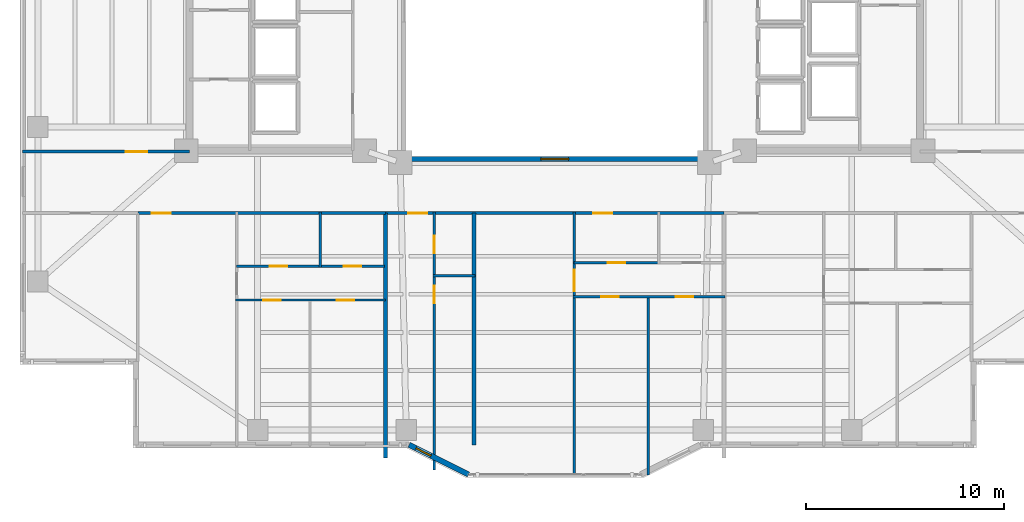
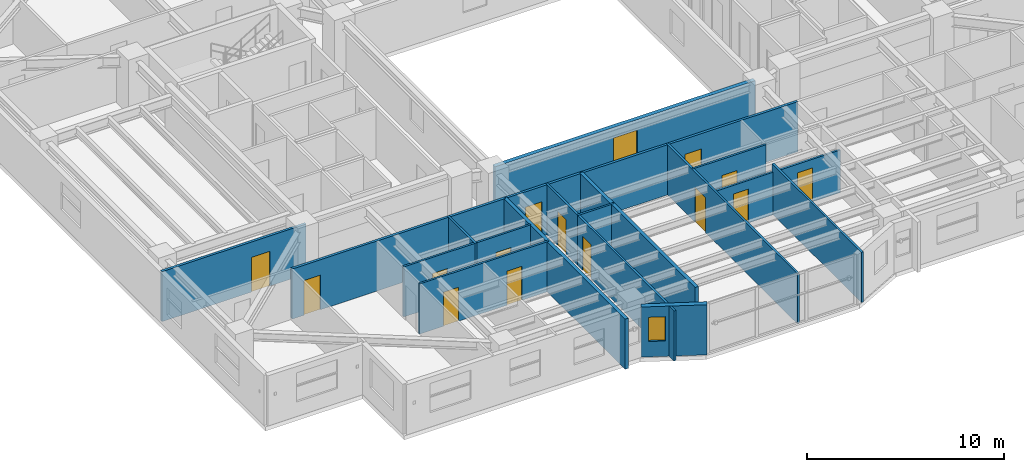
# One storey, part 6 of 18: 18 walls, 14 doors, 2 windows, 16 openings.
"""IFC4 building model written with IfcOpenShell, lengths in metres."""

from ifc_helpers import new_model, si_unit, direction, frame, frame_2d, origin, place, context, subcontext, project, spatial, rectangle, extrude, material, layer, layer_set, type_object, element, fill, save


model = new_model("IFC4")

# Units and contexts
model_context = context("Model", 3, precision=1e-05, world=origin(), true_north=direction((0.0, 1.0)))
body_context = subcontext(model_context, "Body", "Model", "MODEL_VIEW")
ifc_project = project(units=[si_unit("LENGTHUNIT", "METRE"), si_unit("AREAUNIT", "SQUARE_METRE"), si_unit("VOLUMEUNIT", "CUBIC_METRE"), si_unit("PLANEANGLEUNIT", "RADIAN"), si_unit("MASSUNIT", "GRAM", prefix="KILO")], contexts=[model_context])

# Site, building, storey
site_placement = place(None, origin())
site = spatial("IfcSite", under=ifc_project, at=site_placement, CompositionType="ELEMENT")
building_placement = place(site_placement, origin())
building = spatial("IfcBuilding", under=site, at=building_placement, Name="Tarnavaz Court Tower", CompositionType="ELEMENT")
storey_placement = place(building_placement, frame((0.0, 0.0, 88.35009765625)))
storey = spatial("IfcBuildingStorey", under=building, at=storey_placement, Name="L23", CompositionType="ELEMENT", Elevation=88.35009765625)

# Wall, opening, window
ifc_material_1 = material(Name="Precast Concrete C40/50", Category="concrete")
ifc_layer_1 = layer(ifc_material_1, 0.280029296875)
ifc_layer_set_1 = layer_set([ifc_layer_1], Name="Precast Concrete C40/50")
wall_type_1 = type_object("IfcWallType", Name="WL-EXT-280", PredefinedType="SOLIDWALL", material=ifc_layer_set_1)
wall_1_placement = place(storey_placement, frame((-4.35009765625, -23.550048828125, 0.0), z_axis=(0.0, 0.0, 1.0), x_axis=(-0.894427191, 0.4472135955, 0.0)))
wall_1 = element("IfcWall", 1, at=wall_1_placement, inside=storey, type_object=wall_type_1, Name="L23 Exterior Terracotta Facade Wall 18", PredefinedType="SOLIDWALL", context=body_context, shape_type="SweptSolid", body=[
    extrude(rectangle(XDim=3.35400390625, YDim=0.280029296875, at=frame_2d((1.677001953125, 0.0))), origin(), (0.0, 0.0, 1.0), 3.099853515625),
])
opening_1_placement = place(wall_1_placement, frame((2.12353515625, 0.0, 0.949951171875)))
opening_1 = element("IfcOpeningElement", 2, at=opening_1_placement, cuts=wall_1, Name="Opening W15", PredefinedType="OPENING", context=body_context, shape_type="SweptSolid", body=[
    extrude(rectangle(XDim=0.85009765625, YDim=1.5, at=frame_2d((0.425048828125, 0.75))), frame((0.0, 0.14990234375, 0.0), z_axis=(0.0, -1.0, 0.0), x_axis=(1.0, 0.0, 0.0)), (0.0, 0.0, 1.0), 0.300048828125),
])
ifc_material_2 = material(Name="Double-Glazed Solar Low-E Glass", Category="glass")
window_type_1 = type_object("IfcWindowType", Name="WN-APT-850", PartitioningType="SINGLE_PANEL", PredefinedType="WINDOW", material=ifc_material_2)
window_1_placement = place(opening_1_placement, origin())
window_1 = element("IfcWindow", 3, at=window_1_placement, inside=storey, type_object=window_type_1, Name="L23 Prow Cheek Bedroom Window 18", OverallHeight=1.5, OverallWidth=0.85009765625, PartitioningType="SINGLE_PANEL", PredefinedType="WINDOW", context=body_context, shape_type="SweptSolid", body=[
    extrude(rectangle(XDim=0.85009765625, YDim=1.5, at=frame_2d((0.425048828125, 0.75))), frame((0.0, 0.030029296875, 0.0), z_axis=(0.0, -1.0, 0.0), x_axis=(1.0, 0.0, 0.0)), (0.0, 0.0, 1.0), 0.06005859375),
])
fill(opening_1, window_1)

# Wall, opening, door
ifc_material_3 = material(Name="Gypsum Fire-Board on Acoustic Metal Stud", Category="masonry")
ifc_layer_2 = layer(ifc_material_3, 0.14990234375)
ifc_layer_set_2 = layer_set([ifc_layer_2], Name="Gypsum Fire-Board on Acoustic Metal Stud")
wall_type_2 = type_object("IfcWallType", Name="WL-FIRE-150", PredefinedType="PARTITIONING", material=ifc_layer_set_2)
wall_2_placement = place(storey_placement, frame((-21.050048828125, -10.35009765625, 0.0), z_axis=(0.0, 0.0, 1.0), x_axis=(1.0, 0.0, 0.0)))
wall_2 = element("IfcWall", 4, at=wall_2_placement, inside=storey, type_object=wall_type_2, Name="L23 SW Horseshoe Wall 074", PredefinedType="PARTITIONING", context=body_context, shape_type="SweptSolid", body=[
    extrude(rectangle(XDim=12.5, YDim=0.14990234375, at=frame_2d((6.25, 0.0))), origin(), (0.0, 0.0, 1.0), 3.099853515625),
])
opening_2_placement = place(wall_2_placement, frame((0.699951171875, 0.0, 0.0)))
opening_2 = element("IfcOpeningElement", 5, at=opening_2_placement, cuts=wall_2, Name="Opening D06", PredefinedType="OPENING", context=body_context, shape_type="SweptSolid", body=[
    extrude(rectangle(XDim=0.9599609375, YDim=2.14990234375, at=frame_2d((0.47998046875, 1.074951171875))), frame((0.0, 0.0849609375, 0.0), z_axis=(0.0, -1.0, 0.0), x_axis=(1.0, 0.0, 0.0)), (0.0, 0.0, 1.0), 0.169921875),
])
ifc_material_4 = material(Name="Fire-Rated Hardwood Timber Core", Category="wood")
door_type_1 = type_object("IfcDoorType", Name="DR-FD60-950", OperationType="NOTDEFINED", PredefinedType="DOOR", material=ifc_material_4)
door_1_placement = place(opening_2_placement, origin())
door_1 = element("IfcDoor", 6, at=door_1_placement, inside=storey, type_object=door_type_1, Name="L23 Flat 02 Entrance Door", OperationType="SINGLE_SWING_LEFT", OverallHeight=2.14990234375, OverallWidth=0.9599609375, PredefinedType="DOOR", context=body_context, shape_type="SweptSolid", body=[
    extrude(rectangle(XDim=0.9599609375, YDim=2.14990234375, at=frame_2d((0.47998046875, 1.074951171875))), frame((0.0, 0.02490234375, 0.0), z_axis=(0.0, -1.0, 0.0), x_axis=(1.0, 0.0, 0.0)), (0.0, 0.0, 1.0), 0.050048828125),
])
fill(opening_2, door_1)

# Wall, openings, doors
wall_3_placement = place(storey_placement, frame((-8.550048828125, -10.35009765625, 0.0), z_axis=(0.0, 0.0, 1.0), x_axis=(1.0, 0.0, 0.0)))
wall_3 = element("IfcWall", 7, at=wall_3_placement, inside=storey, type_object=wall_type_2, Name="L23 Interior Partition 101", PredefinedType="PARTITIONING", context=body_context, shape_type="SweptSolid", body=[
    extrude(rectangle(XDim=17.10009765625, YDim=0.14990234375, at=frame_2d((8.550048828125, 0.0))), origin(), (0.0, 0.0, 1.0), 3.099853515625),
])
opening_3_placement = place(wall_3_placement, frame((1.14990234375, 0.0, 0.0)))
opening_3 = element("IfcOpeningElement", 8, at=opening_3_placement, cuts=wall_3, Name="Opening D06", PredefinedType="OPENING", context=body_context, shape_type="SweptSolid", body=[
    extrude(rectangle(XDim=0.9599609375, YDim=2.14990234375, at=frame_2d((0.47998046875, 1.074951171875))), frame((0.0, 0.0849609375, 0.0), z_axis=(0.0, -1.0, 0.0), x_axis=(1.0, 0.0, 0.0)), (0.0, 0.0, 1.0), 0.169921875),
])
opening_4_placement = place(wall_3_placement, frame((10.5, 0.0, 0.0)))
opening_4 = element("IfcOpeningElement", 9, at=opening_4_placement, cuts=wall_3, Name="Opening D06", PredefinedType="OPENING", context=body_context, shape_type="SweptSolid", body=[
    extrude(rectangle(XDim=0.9599609375, YDim=2.14990234375, at=frame_2d((0.47998046875, 1.074951171875))), frame((0.0, 0.0849609375, 0.0), z_axis=(0.0, -1.0, 0.0), x_axis=(1.0, 0.0, 0.0)), (0.0, 0.0, 1.0), 0.169921875),
])
door_2_placement = place(opening_3_placement, origin())
door_2 = element("IfcDoor", 10, at=door_2_placement, inside=storey, type_object=door_type_1, Name="L23 Flat 04 Entrance Door", OperationType="SINGLE_SWING_LEFT", OverallHeight=2.14990234375, OverallWidth=0.9599609375, PredefinedType="DOOR", context=body_context, shape_type="SweptSolid", body=[
    extrude(rectangle(XDim=0.9599609375, YDim=2.14990234375, at=frame_2d((0.47998046875, 1.074951171875))), frame((0.0, 0.02490234375, 0.0), z_axis=(0.0, -1.0, 0.0), x_axis=(1.0, 0.0, 0.0)), (0.0, 0.0, 1.0), 0.050048828125),
])
fill(opening_3, door_2)
door_3_placement = place(opening_4_placement, origin())
door_3 = element("IfcDoor", 11, at=door_3_placement, inside=storey, type_object=door_type_1, Name="L23 Flat 05 Entrance Door", OperationType="SINGLE_SWING_RIGHT", OverallHeight=2.14990234375, OverallWidth=0.9599609375, PredefinedType="DOOR", context=body_context, shape_type="SweptSolid", body=[
    extrude(rectangle(XDim=0.9599609375, YDim=2.14990234375, at=frame_2d((0.47998046875, 1.074951171875))), frame((0.0, 0.02490234375, 0.0), z_axis=(0.0, -1.0, 0.0), x_axis=(1.0, 0.0, 0.0)), (0.0, 0.0, 1.0), 0.050048828125),
])
fill(opening_4, door_3)

# Wall, opening, door
wall_4_placement = place(storey_placement, frame((-26.8798828125, -7.25, 0.0), z_axis=(0.0, 0.0, 1.0), x_axis=(1.0, 0.0, 0.0)))
wall_4 = element("IfcWall", 12, at=wall_4_placement, inside=storey, type_object=wall_type_2, Name="L23 Interior Partition 112", PredefinedType="PARTITIONING", context=body_context, shape_type="SweptSolid", body=[
    extrude(rectangle(XDim=8.429931640625, YDim=0.14990234375, at=frame_2d((4.21484375, 0.0))), origin(), (0.0, 0.0, 1.0), 3.099853515625),
])
opening_5_placement = place(wall_4_placement, frame((5.22998046875, 0.0, 0.0)))
opening_5 = element("IfcOpeningElement", 13, at=opening_5_placement, cuts=wall_4, Name="Opening D12", PredefinedType="OPENING", context=body_context, shape_type="SweptSolid", body=[
    extrude(rectangle(XDim=1.080078125, YDim=2.14990234375, at=frame_2d((0.5400390625, 1.074951171875))), frame((0.0, 0.0849609375, 0.0), z_axis=(0.0, -1.0, 0.0), x_axis=(1.0, 0.0, 0.0)), (0.0, 0.0, 1.0), 0.169921875),
])
ifc_material_5 = material(Name="Engineered Oak Timber", Category="wood")
door_type_2 = type_object("IfcDoorType", Name="DR-INT-1100", OperationType="NOTDEFINED", PredefinedType="DOOR", material=ifc_material_5)
door_4_placement = place(opening_5_placement, origin())
door_4 = element("IfcDoor", 14, at=door_4_placement, inside=storey, type_object=door_type_2, Name="L23 West Study Gallery Door", OperationType="SINGLE_SWING_RIGHT", OverallHeight=2.14990234375, OverallWidth=1.080078125, PredefinedType="DOOR", context=body_context, shape_type="SweptSolid", body=[
    extrude(rectangle(XDim=1.080078125, YDim=2.14990234375, at=frame_2d((0.5400390625, 1.074951171875))), frame((0.0, 0.02490234375, 0.0), z_axis=(0.0, -1.0, 0.0), x_axis=(1.0, 0.0, 0.0)), (0.0, 0.0, 1.0), 0.050048828125),
])
fill(opening_5, door_4)

# Walls
ifc_material_6 = material(Name="Autoclaved Aerated Concrete Blockwork", Category="masonry")
ifc_layer_3 = layer(ifc_material_6, 0.199951171875)
ifc_layer_set_3 = layer_set([ifc_layer_3], Name="Autoclaved Aerated Concrete Blockwork")
wall_type_3 = type_object("IfcWallType", Name="WL-FIRE-200", PredefinedType="SOLIDWALL", material=ifc_layer_set_3)
wall_5_placement = place(storey_placement, frame((-8.550048828125, -22.7041015625, 0.0), z_axis=(0.0, 0.0, 1.0), x_axis=(0.0, 1.0, 0.0)))
element("IfcWall", 15, at=wall_5_placement, inside=storey, type_object=wall_type_3, Name="L23 Party Wall 099", PredefinedType="SOLIDWALL", context=body_context, shape_type="SweptSolid", body=[
    extrude(rectangle(XDim=12.35400390625, YDim=0.199951171875, at=frame_2d((6.177001953125, 0.0))), origin(), (0.0, 0.0, 1.0), 3.099853515625),
])
wall_6_placement = place(storey_placement, frame((-4.080078125, -22.050048828125, 0.0), z_axis=(0.0, 0.0, 1.0), x_axis=(0.0, 1.0, 0.0)))
element("IfcWall", 16, at=wall_6_placement, inside=storey, type_object=wall_type_3, Name="L23 Party Wall 102", PredefinedType="SOLIDWALL", context=body_context, shape_type="SweptSolid", body=[
    extrude(rectangle(XDim=11.699951171875, YDim=0.199951171875, at=frame_2d((5.85009765625, 0.0))), origin(), (0.0, 0.0, 1.0), 3.099853515625),
])

# Wall, opening, door
ifc_material_7 = material(Name="Moisture-Resistant Gypsum Board Partition", Category="masonry")
ifc_layer_4 = layer(ifc_material_7, 0.1201171875)
ifc_layer_set_4 = layer_set([ifc_layer_4], Name="Moisture-Resistant Gypsum Board Partition")
wall_type_4 = type_object("IfcWallType", Name="WL-PART-120", PredefinedType="PARTITIONING", material=ifc_layer_set_4)
wall_7_placement = place(storey_placement, frame((-16.05810546875, -13.030029296875, 0.0), z_axis=(0.0, 0.0, 1.0), x_axis=(1.0, 0.0, 0.0)))
wall_7 = element("IfcWall", 17, at=wall_7_placement, inside=storey, type_object=wall_type_4, Name="L23 Interior Partition 088", PredefinedType="PARTITIONING", context=body_context, shape_type="SweptSolid", body=[
    extrude(rectangle(XDim=4.217041015625, YDim=0.1201171875, at=frame_2d((2.1083984375, 0.0))), origin(), (0.0, 0.0, 1.0), 3.099853515625),
])
opening_6_placement = place(wall_7_placement, frame((1.6689453125, 0.0, 0.0)))
opening_6 = element("IfcOpeningElement", 18, at=opening_6_placement, cuts=wall_7, Name="Opening D14", PredefinedType="OPENING", context=body_context, shape_type="SweptSolid", body=[
    extrude(rectangle(XDim=0.8798828125, YDim=2.10009765625, at=frame_2d((0.43994140625, 1.050048828125))), frame((0.0, 0.070068359375, 0.0), z_axis=(0.0, -1.0, 0.0), x_axis=(1.0, 0.0, 0.0)), (0.0, 0.0, 1.0), 0.14013671875),
])
door_type_3 = type_object("IfcDoorType", Name="DR-INT-900", OperationType="NOTDEFINED", PredefinedType="DOOR", material=ifc_material_5)
door_5_placement = place(opening_6_placement, origin())
door_5 = element("IfcDoor", 19, at=door_5_placement, inside=storey, type_object=door_type_3, Name="L23 Flat 02 Kitchen Door", OperationType="SINGLE_SWING_LEFT", OverallHeight=2.10009765625, OverallWidth=0.8798828125, PredefinedType="DOOR", context=body_context, shape_type="SweptSolid", body=[
    extrude(rectangle(XDim=0.8798828125, YDim=2.10009765625, at=frame_2d((0.43994140625, 1.050048828125))), frame((0.0, 0.02490234375, 0.0), z_axis=(0.0, -1.0, 0.0), x_axis=(1.0, 0.0, 0.0)), (0.0, 0.0, 1.0), 0.050048828125),
])
fill(opening_6, door_5)

wall_8_placement = place(storey_placement, frame((-11.841064453125, -13.030029296875, 0.0), z_axis=(0.0, 0.0, 1.0), x_axis=(1.0, 0.0, 0.0)))
wall_8 = element("IfcWall", 20, at=wall_8_placement, inside=storey, type_object=wall_type_4, Name="L23 Interior Partition 089", PredefinedType="PARTITIONING", context=body_context, shape_type="SweptSolid", body=[
    extrude(rectangle(XDim=3.240966796875, YDim=0.1201171875, at=frame_2d((1.62060546875, 0.0))), origin(), (0.0, 0.0, 1.0), 3.099853515625),
])
opening_7_placement = place(wall_8_placement, frame((1.179931640625, 0.0, 0.0)))
opening_7 = element("IfcOpeningElement", 21, at=opening_7_placement, cuts=wall_8, Name="Opening D14", PredefinedType="OPENING", context=body_context, shape_type="SweptSolid", body=[
    extrude(rectangle(XDim=0.8798828125, YDim=2.10009765625, at=frame_2d((0.43994140625, 1.050048828125))), frame((0.0, 0.070068359375, 0.0), z_axis=(0.0, -1.0, 0.0), x_axis=(1.0, 0.0, 0.0)), (0.0, 0.0, 1.0), 0.14013671875),
])
door_6_placement = place(opening_7_placement, origin())
door_6 = element("IfcDoor", 22, at=door_6_placement, inside=storey, type_object=door_type_3, Name="L23 Flat 02 Bathroom Door", OperationType="SINGLE_SWING_RIGHT", OverallHeight=2.10009765625, OverallWidth=0.8798828125, PredefinedType="DOOR", context=body_context, shape_type="SweptSolid", body=[
    extrude(rectangle(XDim=0.8798828125, YDim=2.10009765625, at=frame_2d((0.43994140625, 1.050048828125))), frame((0.0, 0.02490234375, 0.0), z_axis=(0.0, -1.0, 0.0), x_axis=(1.0, 0.0, 0.0)), (0.0, 0.0, 1.0), 0.050048828125),
])
fill(opening_7, door_6)

# Wall, openings, doors
wall_9_placement = place(storey_placement, frame((-16.117919921875, -14.739990234375, 0.0), z_axis=(0.0, 0.0, 1.0), x_axis=(1.0, 0.0, 0.0)))
wall_9 = element("IfcWall", 23, at=wall_9_placement, inside=storey, type_object=wall_type_4, Name="L23 Interior Partition 090", PredefinedType="PARTITIONING", context=body_context, shape_type="SweptSolid", body=[
    extrude(rectangle(XDim=7.577880859375, YDim=0.1201171875, at=frame_2d((3.7890625, 0.0))), origin(), (0.0, 0.0, 1.0), 3.099853515625),
])
opening_8_placement = place(wall_9_placement, frame((1.408935546875, 0.0, 0.0)))
opening_8 = element("IfcOpeningElement", 24, at=opening_8_placement, cuts=wall_9, Name="Opening D14", PredefinedType="OPENING", context=body_context, shape_type="SweptSolid", body=[
    extrude(rectangle(XDim=0.8798828125, YDim=2.10009765625, at=frame_2d((0.43994140625, 1.050048828125))), frame((0.0, 0.070068359375, 0.0), z_axis=(0.0, -1.0, 0.0), x_axis=(1.0, 0.0, 0.0)), (0.0, 0.0, 1.0), 0.14013671875),
])
opening_9_placement = place(wall_9_placement, frame((5.10791015625, 0.0, 0.0)))
opening_9 = element("IfcOpeningElement", 25, at=opening_9_placement, cuts=wall_9, Name="Opening D14", PredefinedType="OPENING", context=body_context, shape_type="SweptSolid", body=[
    extrude(rectangle(XDim=0.8798828125, YDim=2.10009765625, at=frame_2d((0.43994140625, 1.050048828125))), frame((0.0, 0.070068359375, 0.0), z_axis=(0.0, -1.0, 0.0), x_axis=(1.0, 0.0, 0.0)), (0.0, 0.0, 1.0), 0.14013671875),
])
door_7_placement = place(opening_8_placement, origin())
door_7 = element("IfcDoor", 26, at=door_7_placement, inside=storey, type_object=door_type_3, Name="L23 Flat 02 Bedroom 1 Door", OperationType="SINGLE_SWING_LEFT", OverallHeight=2.10009765625, OverallWidth=0.8798828125, PredefinedType="DOOR", context=body_context, shape_type="SweptSolid", body=[
    extrude(rectangle(XDim=0.8798828125, YDim=2.10009765625, at=frame_2d((0.43994140625, 1.050048828125))), frame((0.0, 0.02490234375, 0.0), z_axis=(0.0, -1.0, 0.0), x_axis=(1.0, 0.0, 0.0)), (0.0, 0.0, 1.0), 0.050048828125),
])
fill(opening_8, door_7)
door_8_placement = place(opening_9_placement, origin())
door_8 = element("IfcDoor", 27, at=door_8_placement, inside=storey, type_object=door_type_3, Name="L23 Flat 02 Bedroom 2 Door", OperationType="SINGLE_SWING_RIGHT", OverallHeight=2.10009765625, OverallWidth=0.8798828125, PredefinedType="DOOR", context=body_context, shape_type="SweptSolid", body=[
    extrude(rectangle(XDim=0.8798828125, YDim=2.10009765625, at=frame_2d((0.43994140625, 1.050048828125))), frame((0.0, 0.02490234375, 0.0), z_axis=(0.0, -1.0, 0.0), x_axis=(1.0, 0.0, 0.0)), (0.0, 0.0, 1.0), 0.050048828125),
])
fill(opening_9, door_8)

# Wall
wall_10_placement = place(storey_placement, frame((-11.841064453125, -13.090087890625, 0.0), z_axis=(0.0, 0.0, 1.0), x_axis=(0.0, 1.0, 0.0)))
element("IfcWall", 28, at=wall_10_placement, inside=storey, type_object=wall_type_4, Name="L23 Interior Partition 091", PredefinedType="PARTITIONING", context=body_context, shape_type="SweptSolid", body=[
    extrude(rectangle(XDim=2.800048828125, YDim=0.1201171875, at=frame_2d((1.39990234375, 0.0))), origin(), (0.0, 0.0, 1.0), 3.099853515625),
])

# Wall, opening, door
wall_11_placement = place(storey_placement, frame((-6.080078125, -23.31396484375, 0.0), z_axis=(0.0, 0.0, 1.0), x_axis=(0.0, 1.0, 0.0)))
wall_11 = element("IfcWall", 29, at=wall_11_placement, inside=storey, type_object=wall_type_4, Name="L23 Interior Partition 103", PredefinedType="PARTITIONING", context=body_context, shape_type="SweptSolid", body=[
    extrude(rectangle(XDim=9.803955078125, YDim=0.1201171875, at=frame_2d((4.90185546875, 0.0))), origin(), (0.0, 0.0, 1.0), 3.099853515625),
])
opening_10_placement = place(wall_11_placement, frame((8.404052734375, 0.0, 0.0)))
opening_10 = element("IfcOpeningElement", 30, at=opening_10_placement, cuts=wall_11, Name="Opening D14", PredefinedType="OPENING", context=body_context, shape_type="SweptSolid", body=[
    extrude(rectangle(XDim=0.8798828125, YDim=2.10009765625, at=frame_2d((0.43994140625, 1.050048828125))), frame((0.0, 0.070068359375, 0.0), z_axis=(0.0, -1.0, 0.0), x_axis=(1.0, 0.0, 0.0)), (0.0, 0.0, 1.0), 0.14013671875),
])
door_9_placement = place(opening_10_placement, origin())
door_9 = element("IfcDoor", 31, at=door_9_placement, inside=storey, type_object=door_type_3, Name="L23 Flat 04 Kitchen Door", OperationType="SINGLE_SWING_RIGHT", OverallHeight=2.10009765625, OverallWidth=0.8798828125, PredefinedType="DOOR", context=body_context, shape_type="SweptSolid", body=[
    extrude(rectangle(XDim=0.8798828125, YDim=2.10009765625, at=frame_2d((0.43994140625, 1.050048828125))), frame((0.0, 0.02490234375, 0.0), z_axis=(0.0, -1.0, 0.0), x_axis=(1.0, 0.0, 0.0)), (0.0, 0.0, 1.0), 0.050048828125),
])
fill(opening_10, door_9)

wall_12_placement = place(storey_placement, frame((-6.080078125, -13.510009765625, 0.0), z_axis=(0.0, 0.0, 1.0), x_axis=(0.0, 1.0, 0.0)))
wall_12 = element("IfcWall", 32, at=wall_12_placement, inside=storey, type_object=wall_type_4, Name="L23 Interior Partition 104", PredefinedType="PARTITIONING", context=body_context, shape_type="SweptSolid", body=[
    extrude(rectangle(XDim=3.219970703125, YDim=0.1201171875, at=frame_2d((1.60986328125, 0.0))), origin(), (0.0, 0.0, 1.0), 3.099853515625),
])
opening_11_placement = place(wall_12_placement, frame((1.139892578125, 0.0, 0.0)))
opening_11 = element("IfcOpeningElement", 33, at=opening_11_placement, cuts=wall_12, Name="Opening D14", PredefinedType="OPENING", context=body_context, shape_type="SweptSolid", body=[
    extrude(rectangle(XDim=0.8798828125, YDim=2.10009765625, at=frame_2d((0.43994140625, 1.050048828125))), frame((0.0, 0.070068359375, 0.0), z_axis=(0.0, -1.0, 0.0), x_axis=(1.0, 0.0, 0.0)), (0.0, 0.0, 1.0), 0.14013671875),
])
door_10_placement = place(opening_11_placement, origin())
door_10 = element("IfcDoor", 34, at=door_10_placement, inside=storey, type_object=door_type_3, Name="L23 Flat 04 Bathroom Door", OperationType="SINGLE_SWING_LEFT", OverallHeight=2.10009765625, OverallWidth=0.8798828125, PredefinedType="DOOR", context=body_context, shape_type="SweptSolid", body=[
    extrude(rectangle(XDim=0.8798828125, YDim=2.10009765625, at=frame_2d((0.43994140625, 1.050048828125))), frame((0.0, 0.02490234375, 0.0), z_axis=(0.0, -1.0, 0.0), x_axis=(1.0, 0.0, 0.0)), (0.0, 0.0, 1.0), 0.050048828125),
])
fill(opening_11, door_10)

# Wall
wall_13_placement = place(storey_placement, frame((-6.139892578125, -13.510009765625, 0.0), z_axis=(0.0, 0.0, 1.0), x_axis=(1.0, 0.0, 0.0)))
element("IfcWall", 35, at=wall_13_placement, inside=storey, type_object=wall_type_4, Name="L23 Interior Partition 105", PredefinedType="PARTITIONING", context=body_context, shape_type="SweptSolid", body=[
    extrude(rectangle(XDim=2.119873046875, YDim=0.1201171875, at=frame_2d((1.06005859375, 0.0))), origin(), (0.0, 0.0, 1.0), 3.099853515625),
])

# Wall, opening, door
wall_14_placement = place(storey_placement, frame((0.97998046875, -23.580078125, 0.0), z_axis=(0.0, 0.0, 1.0), x_axis=(0.0, 1.0, 0.0)))
wall_14 = element("IfcWall", 36, at=wall_14_placement, inside=storey, type_object=wall_type_4, Name="L23 Interior Partition 106", PredefinedType="PARTITIONING", context=body_context, shape_type="SweptSolid", body=[
    extrude(rectangle(XDim=13.2900390625, YDim=0.1201171875, at=frame_2d((6.64501953125, 0.0))), origin(), (0.0, 0.0, 1.0), 3.099853515625),
])
opening_12_placement = place(wall_14_placement, frame((9.294921875, 0.0, 0.0)))
opening_12 = element("IfcOpeningElement", 37, at=opening_12_placement, cuts=wall_14, Name="Opening D12", PredefinedType="OPENING", context=body_context, shape_type="SweptSolid", body=[
    extrude(rectangle(XDim=1.080078125, YDim=2.14990234375, at=frame_2d((0.5400390625, 1.074951171875))), frame((0.0, 0.070068359375, 0.0), z_axis=(0.0, -1.0, 0.0), x_axis=(1.0, 0.0, 0.0)), (0.0, 0.0, 1.0), 0.14013671875),
])
door_11_placement = place(opening_12_placement, origin())
door_11 = element("IfcDoor", 38, at=door_11_placement, inside=storey, type_object=door_type_2, Name="L23 Flat 05 Foyer Door", OperationType="SINGLE_SWING_LEFT", OverallHeight=2.14990234375, OverallWidth=1.080078125, PredefinedType="DOOR", context=body_context, shape_type="SweptSolid", body=[
    extrude(rectangle(XDim=1.080078125, YDim=2.14990234375, at=frame_2d((0.5400390625, 1.074951171875))), frame((0.0, 0.02490234375, 0.0), z_axis=(0.0, -1.0, 0.0), x_axis=(1.0, 0.0, 0.0)), (0.0, 0.0, 1.0), 0.050048828125),
])
fill(opening_12, door_11)

wall_15_placement = place(storey_placement, frame((0.97998046875, -12.860107421875, 0.0), z_axis=(0.0, 0.0, 1.0), x_axis=(1.0, 0.0, 0.0)))
wall_15 = element("IfcWall", 39, at=wall_15_placement, inside=storey, type_object=wall_type_4, Name="L23 Interior Partition 107", PredefinedType="PARTITIONING", context=body_context, shape_type="SweptSolid", body=[
    extrude(rectangle(XDim=4.27490234375, YDim=0.1201171875, at=frame_2d((2.137451171875, 0.0))), origin(), (0.0, 0.0, 1.0), 3.099853515625),
])
opening_13_placement = place(wall_15_placement, frame((1.697998046875, 0.0, 0.0)))
opening_13 = element("IfcOpeningElement", 40, at=opening_13_placement, cuts=wall_15, Name="Opening D14", PredefinedType="OPENING", context=body_context, shape_type="SweptSolid", body=[
    extrude(rectangle(XDim=0.8798828125, YDim=2.10009765625, at=frame_2d((0.43994140625, 1.050048828125))), frame((0.0, 0.070068359375, 0.0), z_axis=(0.0, -1.0, 0.0), x_axis=(1.0, 0.0, 0.0)), (0.0, 0.0, 1.0), 0.14013671875),
])
door_12_placement = place(opening_13_placement, origin())
door_12 = element("IfcDoor", 41, at=door_12_placement, inside=storey, type_object=door_type_3, Name="L23 Flat 05 Kitchen Door", OperationType="SINGLE_SWING_RIGHT", OverallHeight=2.10009765625, OverallWidth=0.8798828125, PredefinedType="DOOR", context=body_context, shape_type="SweptSolid", body=[
    extrude(rectangle(XDim=0.8798828125, YDim=2.10009765625, at=frame_2d((0.43994140625, 1.050048828125))), frame((0.0, 0.02490234375, 0.0), z_axis=(0.0, -1.0, 0.0), x_axis=(1.0, 0.0, 0.0)), (0.0, 0.0, 1.0), 0.050048828125),
])
fill(opening_13, door_12)

# Wall, openings, doors
wall_16_placement = place(storey_placement, frame((0.919921875, -14.570068359375, 0.0), z_axis=(0.0, 0.0, 1.0), x_axis=(1.0, 0.0, 0.0)))
wall_16 = element("IfcWall", 42, at=wall_16_placement, inside=storey, type_object=wall_type_4, Name="L23 Interior Partition 109", PredefinedType="PARTITIONING", context=body_context, shape_type="SweptSolid", body=[
    extrude(rectangle(XDim=7.690185546875, YDim=0.1201171875, at=frame_2d((3.84521484375, 0.0))), origin(), (0.0, 0.0, 1.0), 2.635009765625),
])
opening_14_placement = place(wall_16_placement, frame((1.43505859375, 0.0, 0.0)))
opening_14 = element("IfcOpeningElement", 43, at=opening_14_placement, cuts=wall_16, Name="Opening D14", PredefinedType="OPENING", context=body_context, shape_type="SweptSolid", body=[
    extrude(rectangle(XDim=0.8798828125, YDim=2.10009765625, at=frame_2d((0.43994140625, 1.050048828125))), frame((0.0, 0.070068359375, 0.0), z_axis=(0.0, -1.0, 0.0), x_axis=(1.0, 0.0, 0.0)), (0.0, 0.0, 1.0), 0.14013671875),
])
opening_15_placement = place(wall_16_placement, frame((5.18505859375, 0.0, 0.0)))
opening_15 = element("IfcOpeningElement", 44, at=opening_15_placement, cuts=wall_16, Name="Opening D14", PredefinedType="OPENING", context=body_context, shape_type="SweptSolid", body=[
    extrude(rectangle(XDim=0.8798828125, YDim=2.10009765625, at=frame_2d((0.43994140625, 1.050048828125))), frame((0.0, 0.070068359375, 0.0), z_axis=(0.0, -1.0, 0.0), x_axis=(1.0, 0.0, 0.0)), (0.0, 0.0, 1.0), 0.14013671875),
])
door_13_placement = place(opening_14_placement, origin())
door_13 = element("IfcDoor", 45, at=door_13_placement, inside=storey, type_object=door_type_3, Name="L23 Flat 05 Bedroom 1 Door", OperationType="SINGLE_SWING_RIGHT", OverallHeight=2.10009765625, OverallWidth=0.8798828125, PredefinedType="DOOR", context=body_context, shape_type="SweptSolid", body=[
    extrude(rectangle(XDim=0.8798828125, YDim=2.10009765625, at=frame_2d((0.43994140625, 1.050048828125))), frame((0.0, 0.02490234375, 0.0), z_axis=(0.0, -1.0, 0.0), x_axis=(1.0, 0.0, 0.0)), (0.0, 0.0, 1.0), 0.050048828125),
])
fill(opening_14, door_13)
door_14_placement = place(opening_15_placement, origin())
door_14 = element("IfcDoor", 46, at=door_14_placement, inside=storey, type_object=door_type_3, Name="L23 Flat 05 Bedroom 2 Door", OperationType="SINGLE_SWING_LEFT", OverallHeight=2.10009765625, OverallWidth=0.8798828125, PredefinedType="DOOR", context=body_context, shape_type="SweptSolid", body=[
    extrude(rectangle(XDim=0.8798828125, YDim=2.10009765625, at=frame_2d((0.43994140625, 1.050048828125))), frame((0.0, 0.02490234375, 0.0), z_axis=(0.0, -1.0, 0.0), x_axis=(1.0, 0.0, 0.0)), (0.0, 0.0, 1.0), 0.050048828125),
])
fill(opening_15, door_14)

# Wall
wall_17_placement = place(storey_placement, frame((4.72998046875, -23.580078125, 0.0), z_axis=(0.0, 0.0, 1.0), x_axis=(0.0, 1.0, 0.0)))
element("IfcWall", 47, at=wall_17_placement, inside=storey, type_object=wall_type_4, Name="L23 Interior Partition 111", PredefinedType="PARTITIONING", context=body_context, shape_type="SweptSolid", body=[
    extrude(rectangle(XDim=9.070068359375, YDim=0.1201171875, at=frame_2d((4.53515625, 0.0))), origin(), (0.0, 0.0, 1.0), 3.099853515625),
])

# Wall, opening, window
ifc_layer_5 = layer(ifc_material_1, 0.239990234375)
ifc_layer_set_5 = layer_set([ifc_layer_5], Name="Precast Concrete C40/50")
wall_type_5 = type_object("IfcWallType", Name="WL-WELL-240", PredefinedType="SOLIDWALL", material=ifc_layer_set_5)
wall_18_placement = place(storey_placement, frame((-7.6201171875, -7.6201171875, 0.0), z_axis=(0.0, 0.0, 1.0), x_axis=(1.0, 0.0, 0.0)))
wall_18 = element("IfcWall", 48, at=wall_18_placement, inside=storey, type_object=wall_type_5, Name="L23 Badgir Light-Well Exterior Wall S", PredefinedType="SOLIDWALL", context=body_context, shape_type="SweptSolid", body=[
    extrude(rectangle(XDim=15.240234375, YDim=0.239990234375, at=frame_2d((7.6201171875, 0.0))), origin(), (0.0, 0.0, 1.0), 3.099853515625),
])
opening_16_placement = place(wall_18_placement, frame((6.919921875, 0.0, 0.949951171875)))
opening_16 = element("IfcOpeningElement", 49, at=opening_16_placement, cuts=wall_18, Name="Opening W13", PredefinedType="OPENING", context=body_context, shape_type="SweptSolid", body=[
    extrude(rectangle(XDim=1.39990234375, YDim=1.5, at=frame_2d((0.699951171875, 0.75))), frame((0.0, 0.1298828125, 0.0), z_axis=(0.0, -1.0, 0.0), x_axis=(1.0, 0.0, 0.0)), (0.0, 0.0, 1.0), 0.260009765625),
])
window_type_2 = type_object("IfcWindowType", Name="WN-WEL-1400", PartitioningType="SINGLE_PANEL", PredefinedType="WINDOW", material=ifc_material_2)
window_2_placement = place(opening_16_placement, origin())
window_2 = element("IfcWindow", 50, at=window_2_placement, inside=storey, type_object=window_type_2, Name="L23 Courtyard Gallery Window S", OverallHeight=1.5, OverallWidth=1.39990234375, PartitioningType="SINGLE_PANEL", PredefinedType="WINDOW", context=body_context, shape_type="SweptSolid", body=[
    extrude(rectangle(XDim=1.39990234375, YDim=1.5, at=frame_2d((0.699951171875, 0.75))), frame((0.0, 0.030029296875, 0.0), z_axis=(0.0, -1.0, 0.0), x_axis=(1.0, 0.0, 0.0)), (0.0, 0.0, 1.0), 0.06005859375),
])
fill(opening_16, window_2)

save(model, "model.ifc")
